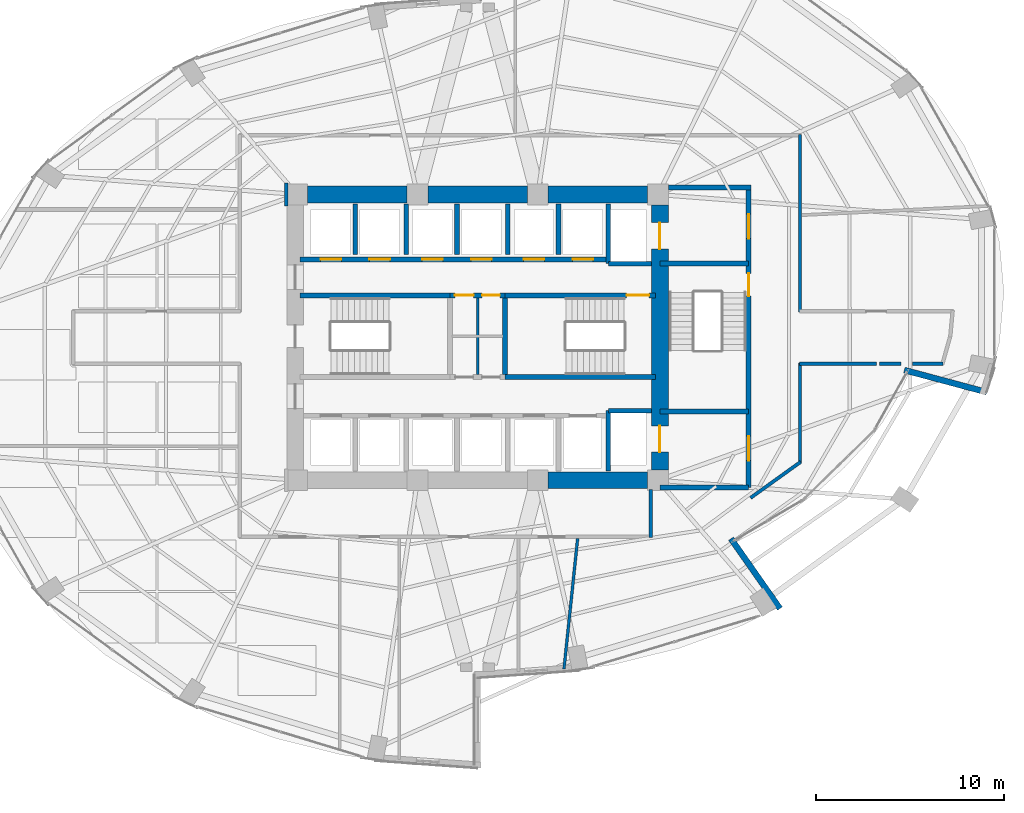
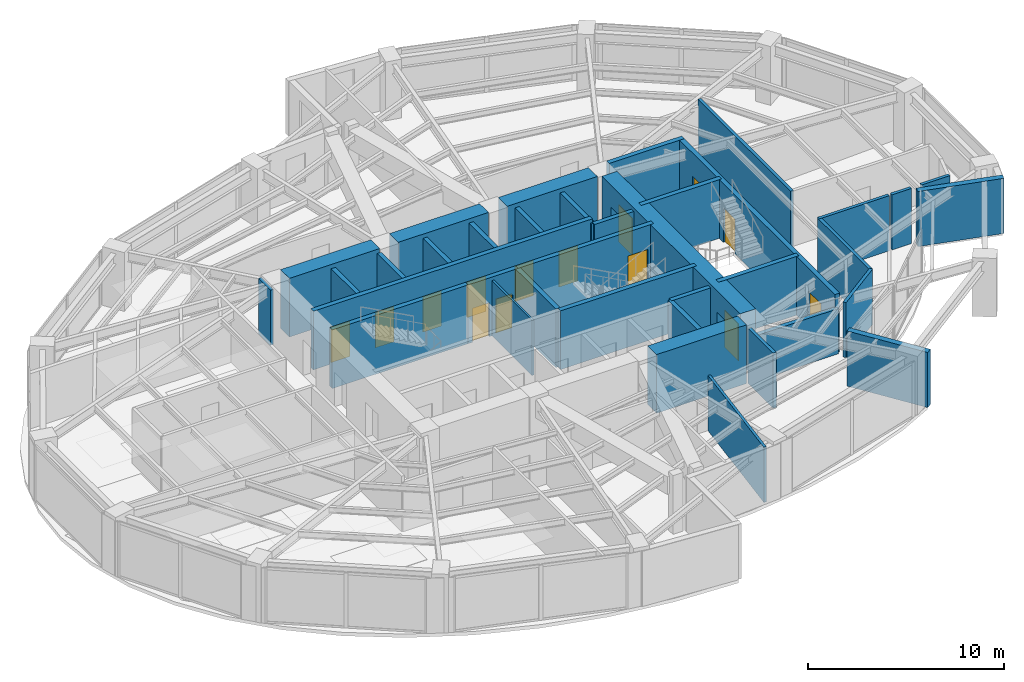
# One storey, part 21 of 24: 37 walls, 14 doors, 14 openings.
"""IFC4 building model written with IfcOpenShell, lengths in metres."""

import ifcopenshell
import ifcopenshell.guid

model = None  # the IFC model being written
_history = None  # IfcOwnerHistory: only IFC2X3 demands one
_inside = {}  # id of a spatial element -> (the spatial element, [elements in it])
_under = {}  # id of a project, library or spatial element -> (it, [spatial elements below it])
_declared = {}  # id of a project -> (the project, [libraries it declares])
_typed = {}  # id of a type object -> (the type object, [elements of that type])
_made_of = {}  # id of a material, layer set ... -> (it, [elements and type objects made of it])


def new_model(schema):
    """Start an empty IFC model of exactly this schema.

    Asked for "IFC4X3", IfcOpenShell would pick the latest addendum, in which some entities
    have other attributes; the version numbers below select the first issue.
    IFC2X3 requires an IfcOwnerHistory on every rooted entity: one is made here for all.
    """
    global model, _history
    if schema == "IFC4X3":
        model = ifcopenshell.file(schema_version=(4, 3, 0, 0))
    else:
        model = ifcopenshell.file(schema=schema)
    _inside.clear()
    _under.clear()
    _declared.clear()
    _typed.clear()
    _made_of.clear()
    _history = None
    if model.schema == "IFC2X3":
        org = make("IfcOrganization", Name="unknown")
        user = make(
            "IfcPersonAndOrganization",
            ThePerson=make("IfcPerson", FamilyName="unknown"),
            TheOrganization=org,
        )
        app = make(
            "IfcApplication",
            ApplicationDeveloper=org,
            Version="unknown",
            ApplicationFullName="unknown",
            ApplicationIdentifier="unknown",
        )
        _history = make(
            "IfcOwnerHistory",
            OwningUser=user,
            OwningApplication=app,
            ChangeAction="ADDED",
            CreationDate=0,
        )
    return model


def make(cls, **values):
    """One entity of the class cls with the attributes given. An attribute that is None is left unset."""
    return model.create_entity(
        cls, **{name: value for name, value in values.items() if value is not None}
    )


def rooted(cls, **values):
    """An entity with a GlobalId (a new one), such as an element, a storey or a relation."""
    return make(cls, GlobalId=ifcopenshell.guid.new(), OwnerHistory=_history, **values)


def si_unit(unit_type, name, prefix=None):
    """IfcSIUnit, for example si_unit("LENGTHUNIT", "METRE", prefix="MILLI")."""
    return make("IfcSIUnit", UnitType=unit_type, Prefix=prefix, Name=name)


def assignment(units):
    """IfcUnitAssignment: the units of a project."""
    return None if units is None else make("IfcUnitAssignment", Units=units)


def point(xyz):
    """IfcCartesianPoint."""
    return None if xyz is None else make("IfcCartesianPoint", Coordinates=xyz)


def direction(xyz):
    """IfcDirection."""
    return None if xyz is None else make("IfcDirection", DirectionRatios=xyz)


def frame(location, z_axis=None, x_axis=None):
    """IfcAxis2Placement3D, a coordinate frame: its origin and axes. An axis left out is left unset."""
    return make(
        "IfcAxis2Placement3D",
        Location=point(location),
        Axis=direction(z_axis),
        RefDirection=direction(x_axis),
    )


def frame_2d(location, x_axis=None):
    """IfcAxis2Placement2D, a coordinate frame in the plane: its origin and x axis."""
    return make(
        "IfcAxis2Placement2D", Location=point(location), RefDirection=direction(x_axis)
    )


def origin():
    """The frame at (0, 0, 0) with its axes left unset."""
    return frame((0.0, 0.0, 0.0))


def place(relative_to, where):
    """IfcLocalPlacement: puts the frame where relative to a parent placement (None: the world)."""
    return make(
        "IfcLocalPlacement", PlacementRelTo=relative_to, RelativePlacement=where
    )


def context(
    kind, dimensions, precision=None, world=None, true_north=None, identifier=None
):
    """IfcGeometricRepresentationContext, for example the 3D "Model" context."""
    return make(
        "IfcGeometricRepresentationContext",
        ContextIdentifier=identifier,
        ContextType=kind,
        CoordinateSpaceDimension=dimensions,
        Precision=precision,
        WorldCoordinateSystem=world,
        TrueNorth=true_north,
    )


def subcontext(parent, identifier, kind, view, scale=None):
    """IfcGeometricRepresentationSubContext, for example "Body" below "Model"."""
    return make(
        "IfcGeometricRepresentationSubContext",
        ContextIdentifier=identifier,
        ContextType=kind,
        ParentContext=parent,
        TargetScale=scale,
        TargetView=view,
    )


def project(units=None, contexts=None):
    """IfcProject with its units and contexts."""
    return rooted(
        "IfcProject",
        Name="project",
        RepresentationContexts=contexts,
        UnitsInContext=assignment(units),
    )


def spatial(cls, under=None, at=None, **own):
    """A site, building, storey or space (cls), placed at a placement, below another one or the project."""
    s = rooted(cls, ObjectPlacement=at, **own)
    if under is not None:
        _under.setdefault(under.id(), (under, []))[1].append(s)
    return s


def profile(cls, at=None, kind="AREA", **sizes):
    """A parametric profile (cls). Its sizes go by their IFC names, for example OverallWidth=200.0."""
    return make(cls, ProfileType=kind, Position=at, **sizes)


def rectangle(**sizes):
    """IfcRectangleProfileDef."""
    return profile("IfcRectangleProfileDef", **sizes)


def extrude(swept, where, along, depth):
    """IfcExtrudedAreaSolid: the profile swept, set in the frame where, extruded along a direction by depth."""
    return make(
        "IfcExtrudedAreaSolid",
        SweptArea=swept,
        Position=where,
        ExtrudedDirection=direction(along),
        Depth=depth,
    )


def shape(context_of_items, identifier, shape_type, items):
    """IfcShapeRepresentation: the items that make up one representation, for example the "Body"."""
    return make(
        "IfcShapeRepresentation",
        ContextOfItems=context_of_items,
        RepresentationIdentifier=identifier,
        RepresentationType=shape_type,
        Items=items,
    )


def material(Name=None, Category=None):
    """IfcMaterial."""
    return make("IfcMaterial", Name=Name, Category=Category)


def layer(
    of_material, thickness, ventilated=None, Name=None, Category=None, Priority=None
):
    """IfcMaterialLayer: one layer of a wall or slab, of a material (None: an air gap)."""
    return make(
        "IfcMaterialLayer",
        Material=of_material,
        LayerThickness=thickness,
        IsVentilated=ventilated,
        Name=Name,
        Category=Category,
        Priority=Priority,
    )


def layer_set(layers, Name=None):
    """IfcMaterialLayerSet."""
    return make("IfcMaterialLayerSet", MaterialLayers=layers, LayerSetName=Name)


def made_of(thing, what):
    """Note that an element or type object is made of a material, layer set ...; save() writes the relation."""
    if what is not None:
        _made_of.setdefault(what.id(), (what, []))[1].append(thing)
    return thing


def type_object(cls, material=None, **own):
    """A type object (cls), such as IfcWallType, which elements share."""
    return made_of(rooted(cls, **own), material)


def element(
    cls,
    number,
    at=None,
    inside=None,
    cuts=None,
    type_object=None,
    material=None,
    context=None,
    identifier="Body",
    shape_type=None,
    held_by="IfcProductDefinitionShape",
    body=None,
    shapes=None,
    **own,
):
    """One element of the class cls, such as IfcWall. Its Tag is "e" and its number.

    at: its placement. inside: the storey or other place that contains it. cuts: it is an
    opening in that element (IfcRelVoidsElement). A single representation is given by context,
    identifier, shape_type and body (its items); several are given by shapes. held_by: the class
    of the entity that holds the representations. save() writes the other relations.
    """
    e = rooted(cls, Tag="e%d" % number, ObjectPlacement=at, **own)
    if body is not None:
        shapes = [shape(context, identifier, shape_type, body)]
    if shapes is not None:
        e.Representation = make(held_by, Representations=shapes)
    if inside is not None:
        _inside.setdefault(inside.id(), (inside, []))[1].append(e)
    if cuts is not None:
        rooted(
            "IfcRelVoidsElement", RelatingBuildingElement=cuts, RelatedOpeningElement=e
        )
    if type_object is not None:
        _typed.setdefault(type_object.id(), (type_object, []))[1].append(e)
    return made_of(e, material)


def fill(opening, filler):
    """IfcRelFillsElement: the door or window that sits in an opening."""
    return rooted(
        "IfcRelFillsElement",
        RelatingOpeningElement=opening,
        RelatedBuildingElement=filler,
    )


def aggregate(whole, parts):
    """IfcRelAggregates: a whole, such as a stair, and the parts it consists of."""
    return rooted("IfcRelAggregates", RelatingObject=whole, RelatedObjects=parts)


def save(model, path):
    """Write the relations noted so far, then the file.

    IfcRelAggregates (storeys below a building ...), IfcRelContainedInSpatialStructure (elements
    in a storey), IfcRelDefinesByType, IfcRelAssociatesMaterial and IfcRelDeclares: one each for
    every whole, place, type object, material and project.
    """
    for whole, parts in _under.values():
        aggregate(whole, parts)
    for where, things in _inside.values():
        rooted(
            "IfcRelContainedInSpatialStructure",
            RelatedElements=things,
            RelatingStructure=where,
        )
    for kind, things in _typed.values():
        rooted("IfcRelDefinesByType", RelatedObjects=things, RelatingType=kind)
    for what, things in _made_of.values():
        rooted("IfcRelAssociatesMaterial", RelatedObjects=things, RelatingMaterial=what)
    for by, libraries in _declared.values():
        rooted("IfcRelDeclares", RelatingContext=by, RelatedDefinitions=libraries)
    model.write(path)


model = new_model("IFC4")

# Units and contexts
model_context = context("Model", 3, precision=1e-05, world=origin(), true_north=direction((0.0, 1.0)))
body_context = subcontext(model_context, "Body", "Model", "MODEL_VIEW")
ifc_project = project(units=[si_unit("LENGTHUNIT", "METRE"), si_unit("AREAUNIT", "SQUARE_METRE"), si_unit("VOLUMEUNIT", "CUBIC_METRE"), si_unit("PLANEANGLEUNIT", "RADIAN"), si_unit("MASSUNIT", "GRAM", prefix="KILO")], contexts=[model_context])

# Site, building, storey
site_placement = place(None, origin())
site = spatial("IfcSite", under=ifc_project, at=site_placement, CompositionType="ELEMENT")
building_placement = place(site_placement, origin())
building = spatial("IfcBuilding", under=site, at=building_placement, Name="Lazwardi Medical Tower", CompositionType="ELEMENT")
storey_placement = place(building_placement, frame((0.0, 0.0, 65.327880859375)))
storey = spatial("IfcBuildingStorey", under=building, at=storey_placement, Name="L16", CompositionType="ELEMENT", Elevation=65.327880859375)

# Walls
ifc_material_1 = material(Name="Fire-rated gypsum board on steel stud", Category="steel")
ifc_layer_1 = layer(ifc_material_1, 0.179931640625)
ifc_layer_set_1 = layer_set([ifc_layer_1], Name="Fire-rated gypsum board on steel stud")
wall_type_1 = type_object("IfcWallType", Name="WL-COR-180", PredefinedType="PARTITIONING", material=ifc_layer_set_1)
wall_1_placement = place(storey_placement, frame((53.14990234375, 38.7900390625, 0.0), z_axis=(0.0, 0.0, 1.0), x_axis=(0.0, -1.0, 0.0)))
element("IfcWall", 1, at=wall_1_placement, inside=storey, type_object=wall_type_1, Name="L16 Corridor partition 5", PredefinedType="PARTITIONING", context=body_context, shape_type="SweptSolid", body=[
    extrude(rectangle(XDim=9.429931640625, YDim=0.179931640625, at=frame_2d((4.71484375, 0.0))), origin(), (0.0, 0.0, 1.0), 3.42822265625),
])
wall_2_placement = place(storey_placement, frame((60.768310546875, 26.60009765625, 0.0), z_axis=(0.0, 0.0, 1.0), x_axis=(-1.0, 0.0, 0.0)))
element("IfcWall", 2, at=wall_2_placement, inside=storey, type_object=wall_type_1, Name="L16 Corridor partition 9", PredefinedType="PARTITIONING", context=body_context, shape_type="SweptSolid", body=[
    extrude(rectangle(XDim=1.643310546875, YDim=0.179931640625, at=frame_2d((0.82177734375, 0.0))), origin(), (0.0, 0.0, 1.0), 3.42822265625),
])
wall_3_placement = place(storey_placement, frame((58.523193359375, 26.60009765625, 0.0), z_axis=(0.0, 0.0, 1.0), x_axis=(-1.0, 0.0, 0.0)))
element("IfcWall", 3, at=wall_3_placement, inside=storey, type_object=wall_type_1, Name="L16 Corridor partition 10", PredefinedType="PARTITIONING", context=body_context, shape_type="SweptSolid", body=[
    extrude(rectangle(XDim=1.13671875, YDim=0.179931640625, at=frame_2d((0.568359375, 0.0))), origin(), (0.0, 0.0, 1.0), 3.42822265625),
])
wall_4_placement = place(storey_placement, frame((57.21337890625, 26.60009765625, 0.0), z_axis=(0.0, 0.0, 1.0), x_axis=(-1.0, 0.0, 0.0)))
element("IfcWall", 4, at=wall_4_placement, inside=storey, type_object=wall_type_1, Name="L16 Corridor partition 11", PredefinedType="PARTITIONING", context=body_context, shape_type="SweptSolid", body=[
    extrude(rectangle(XDim=4.103271484375, YDim=0.179931640625, at=frame_2d((2.0517578125, 0.0))), origin(), (0.0, 0.0, 1.0), 3.42822265625),
])
wall_5_placement = place(storey_placement, frame((53.14990234375, 26.639892578125, 0.0), z_axis=(0.0, 0.0, 1.0), x_axis=(0.0, -1.0, 0.0)))
element("IfcWall", 5, at=wall_5_placement, inside=storey, type_object=wall_type_1, Name="L16 Corridor partition 12", PredefinedType="PARTITIONING", context=body_context, shape_type="SweptSolid", body=[
    extrude(rectangle(XDim=5.327392578125, YDim=0.179931640625, at=frame_2d((2.66357421875, 0.0))), origin(), (0.0, 0.0, 1.0), 3.42822265625),
])
wall_6_placement = place(storey_placement, frame((53.1826171875, 21.3759765625, 0.0), z_axis=(0.0, 0.0, 1.0), x_axis=(-0.812151980909, -0.583445935717, 0.0)))
element("IfcWall", 6, at=wall_6_placement, inside=storey, type_object=wall_type_1, Name="L16 Corridor partition 13", PredefinedType="PARTITIONING", context=body_context, shape_type="SweptSolid", body=[
    extrude(rectangle(XDim=3.281494140625, YDim=0.179931640625, at=frame_2d((1.640625, 0.0))), origin(), (0.0, 0.0, 1.0), 3.42822265625),
])
wall_7_placement = place(storey_placement, frame((25.830078125, 36.2099609375, 0.0), z_axis=(0.0, 0.0, 1.0), x_axis=(0.0, -1.0, 0.0)))
element("IfcWall", 7, at=wall_7_placement, inside=storey, type_object=wall_type_1, Name="L16 Corridor partition 14", PredefinedType="PARTITIONING", context=body_context, shape_type="SweptSolid", body=[
    extrude(rectangle(XDim=1.219970703125, YDim=0.179931640625, at=frame_2d((0.60986328125, 0.0))), origin(), (0.0, 0.0, 1.0), 3.42822265625),
])
wall_8_placement = place(storey_placement, frame((45.199951171875, 19.909912109375, 0.0), z_axis=(0.0, 0.0, 1.0), x_axis=(0.0, -1.0, 0.0)))
element("IfcWall", 8, at=wall_8_placement, inside=storey, type_object=wall_type_1, Name="L16 Corridor partition 16", PredefinedType="PARTITIONING", context=body_context, shape_type="SweptSolid", body=[
    extrude(rectangle(XDim=2.5498046875, YDim=0.179931640625, at=frame_2d((1.27490234375, 0.0))), origin(), (0.0, 0.0, 1.0), 3.42822265625),
])

# Wall, openings, doors
ifc_material_2 = material(Name="Concrete C80/95", Category="concrete")
ifc_layer_2 = layer(ifc_material_2, 0.89990234375)
ifc_layer_set_2 = layer_set([ifc_layer_2], Name="Concrete C80/95")
wall_type_2 = type_object("IfcWallType", Name="WL-CORE-900", PredefinedType="SHEAR", material=ifc_layer_set_2)
wall_9_placement = place(storey_placement, frame((45.699951171875, 20.949951171875, 0.0), z_axis=(0.0, 0.0, 1.0), x_axis=(0.0, 1.0, 0.0)))
wall_9 = element("IfcWall", 9, at=wall_9_placement, inside=storey, type_object=wall_type_2, Name="Core wall CW-S1 east L16", PredefinedType="SHEAR", context=body_context, shape_type="SweptSolid", body=[
    extrude(rectangle(XDim=14.10009765625, YDim=0.89990234375, at=frame_2d((7.050048828125, 0.0))), origin(), (0.0, 0.0, 1.0), 3.648193359375),
])
opening_1_placement = place(wall_9_placement, frame((11.75, 0.0, 0.0)))
opening_1 = element("IfcOpeningElement", 10, at=opening_1_placement, cuts=wall_9, Name="Opening LD-L16-001", PredefinedType="OPENING", context=body_context, shape_type="SweptSolid", body=[
    extrude(rectangle(XDim=1.39990234375, YDim=2.300048828125, at=frame_2d((0.699951171875, 1.14990234375))), frame((0.0, 0.4599609375, 0.0), z_axis=(0.0, -1.0, 0.0), x_axis=(1.0, 0.0, 0.0)), (0.0, 0.0, 1.0), 0.919921875),
])
opening_2_placement = place(wall_9_placement, frame((0.949951171875, 0.0, 0.0)))
opening_2 = element("IfcOpeningElement", 11, at=opening_2_placement, cuts=wall_9, Name="Opening LD-L16-002", PredefinedType="OPENING", context=body_context, shape_type="SweptSolid", body=[
    extrude(rectangle(XDim=1.39990234375, YDim=2.300048828125, at=frame_2d((0.699951171875, 1.14990234375))), frame((0.0, 0.4599609375, 0.0), z_axis=(0.0, -1.0, 0.0), x_axis=(1.0, 0.0, 0.0)), (0.0, 0.0, 1.0), 0.919921875),
])
ifc_material_3 = material(Name="Brushed stainless steel bed-lift landing door", Category="steel")
door_type_1 = type_object("IfcDoorType", Name="DR-LFT-1400", OperationType="NOTDEFINED", PredefinedType="DOOR", material=ifc_material_3)
door_1_placement = place(opening_1_placement, origin())
door_1 = element("IfcDoor", 12, at=door_1_placement, inside=storey, type_object=door_type_1, Name="L16 Lift Landing Door FL-01", OperationType="SLIDING_TO_LEFT", OverallHeight=2.300048828125, OverallWidth=1.39990234375, PredefinedType="DOOR", context=body_context, shape_type="SweptSolid", body=[
    extrude(rectangle(XDim=1.39990234375, YDim=2.300048828125, at=frame_2d((0.699951171875, 1.14990234375))), frame((0.0, 0.02490234375, 0.0), z_axis=(0.0, -1.0, 0.0), x_axis=(1.0, 0.0, 0.0)), (0.0, 0.0, 1.0), 0.050048828125),
])
fill(opening_1, door_1)
door_2_placement = place(opening_2_placement, origin())
door_2 = element("IfcDoor", 13, at=door_2_placement, inside=storey, type_object=door_type_1, Name="L16 Lift Landing Door FL-02", OperationType="SLIDING_TO_LEFT", OverallHeight=2.300048828125, OverallWidth=1.39990234375, PredefinedType="DOOR", context=body_context, shape_type="SweptSolid", body=[
    extrude(rectangle(XDim=1.39990234375, YDim=2.300048828125, at=frame_2d((0.699951171875, 1.14990234375))), frame((0.0, 0.02490234375, 0.0), z_axis=(0.0, -1.0, 0.0), x_axis=(1.0, 0.0, 0.0)), (0.0, 0.0, 1.0), 0.050048828125),
])
fill(opening_2, door_2)

# Walls
wall_10_placement = place(storey_placement, frame((26.949951171875, 35.60009765625, 0.0), z_axis=(0.0, 0.0, 1.0), x_axis=(1.0, 0.0, 0.0)))
element("IfcWall", 14, at=wall_10_placement, inside=storey, type_object=wall_type_2, Name="Core wall CW-S1 N1 L16", PredefinedType="SHEAR", context=body_context, shape_type="SweptSolid", body=[
    extrude(rectangle(XDim=5.300048828125, YDim=0.89990234375, at=frame_2d((2.64990234375, 0.0))), origin(), (0.0, 0.0, 1.0), 3.648193359375),
])
wall_11_placement = place(storey_placement, frame((33.35009765625, 35.60009765625, 0.0), z_axis=(0.0, 0.0, 1.0), x_axis=(1.0, 0.0, 0.0)))
element("IfcWall", 15, at=wall_11_placement, inside=storey, type_object=wall_type_2, Name="Core wall CW-S1 N2 L16", PredefinedType="SHEAR", context=body_context, shape_type="SweptSolid", body=[
    extrude(rectangle(XDim=5.2998046875, YDim=0.89990234375, at=frame_2d((2.64990234375, 0.0))), origin(), (0.0, 0.0, 1.0), 3.648193359375),
])
for number, where, z_axis, x_axis, name in (
    (16, (39.75, 20.39990234375, 0.0), (0.0, 0.0, 1.0), (1.0, 0.0, 0.0), "Core wall CW-S1 S3 L16"),
    (17, (39.75, 35.60009765625, 0.0), (0.0, 0.0, 1.0), (1.0, 0.0, 0.0), "Core wall CW-S1 N3 L16"),
):
    element("IfcWall", number, at=place(storey_placement, frame(where, z_axis=z_axis, x_axis=x_axis)), inside=storey, type_object=wall_type_2, Name=name, PredefinedType="SHEAR", context=body_context, shape_type="SweptSolid", body=[
        extrude(rectangle(XDim=5.300048828125, YDim=0.89990234375, at=frame_2d((2.64990234375, 0.0))), origin(), (0.0, 0.0, 1.0), 3.648193359375),
    ])
ifc_material_4 = material(Name="Moisture-resistant gypsum board partition")
ifc_layer_3 = layer(ifc_material_4, 0.125)
ifc_layer_set_3 = layer_set([ifc_layer_3], Name="Moisture-resistant gypsum board partition")
wall_type_3 = type_object("IfcWallType", Name="WL-ENS-125", PredefinedType="PARTITIONING", material=ifc_layer_set_3)
wall_12_placement = place(storey_placement, frame((36.0, 26.02001953125, 0.0), z_axis=(0.0, 0.0, 1.0), x_axis=(0.0, 1.0, 0.0)))
element("IfcWall", 18, at=wall_12_placement, inside=storey, type_object=wall_type_3, Name="L16 Core 4-way V divider", PredefinedType="PARTITIONING", context=body_context, shape_type="SweptSolid", body=[
    extrude(rectangle(XDim=4.080078125, YDim=0.125, at=frame_2d((2.0400390625, 0.0))), origin(), (0.0, 0.0, 1.0), 3.42822265625),
])
ifc_material_5 = material(Name="Precast concrete C45/55", Category="concrete")
ifc_layer_4 = layer(ifc_material_5, 0.320068359375)
ifc_layer_set_4 = layer_set([ifc_layer_4], Name="Precast concrete C45/55")
wall_type_4 = type_object("IfcWallType", Name="WL-IWAN-320", PredefinedType="SOLIDWALL", material=ifc_layer_set_4)
wall_13_placement = place(storey_placement, frame((52.0830078125, 13.57470703125, 0.0), z_axis=(0.0, 0.0, 1.0), x_axis=(-0.573592269695, 0.819140957434, 0.0)))
element("IfcWall", 19, at=wall_13_placement, inside=storey, type_object=wall_type_4, Name="L16 Sky Garden SG1 Flank Wall S0", PredefinedType="SOLIDWALL", context=body_context, shape_type="SweptSolid", body=[
    extrude(rectangle(XDim=4.539794921875, YDim=0.320068359375, at=frame_2d((2.27001953125, 0.0))), origin(), (0.0, 0.0, 1.0), 3.42822265625),
])
wall_14_placement = place(storey_placement, frame((63.084716796875, 25.083984375, 0.0), z_axis=(0.0, 0.0, 1.0), x_axis=(-0.965941571447, 0.258760276223, 0.0)))
element("IfcWall", 20, at=wall_14_placement, inside=storey, type_object=wall_type_4, Name="L16 Sky Garden SG1 Flank Wall S1", PredefinedType="SOLIDWALL", context=body_context, shape_type="SweptSolid", body=[
    extrude(rectangle(XDim=4.5400390625, YDim=0.320068359375, at=frame_2d((2.27001953125, 0.0))), origin(), (0.0, 0.0, 1.0), 3.42822265625),
])
ifc_material_6 = material(Name="Autoclaved aerated concrete blockwork", Category="masonry")
ifc_layer_5 = layer(ifc_material_6, 0.25)
ifc_layer_set_5 = layer_set([ifc_layer_5], Name="Autoclaved aerated concrete blockwork")
wall_type_5 = type_object("IfcWallType", Name="WL-SHAFT-250", PredefinedType="SOLIDWALL", material=ifc_layer_set_5)
wall_15_placement = place(storey_placement, frame((42.949951171875, 31.919921875, 0.0), z_axis=(0.0, 0.0, 1.0), x_axis=(0.0, 1.0, 0.0)))
element("IfcWall", 21, at=wall_15_placement, inside=storey, type_object=wall_type_5, Name="L16 FL-01 West shaft wall", PredefinedType="SOLIDWALL", context=body_context, shape_type="SweptSolid", body=[
    extrude(rectangle(XDim=3.18017578125, YDim=0.25, at=frame_2d((1.590087890625, 0.0))), origin(), (0.0, 0.0, 1.0), 3.42822265625),
])
wall_16_placement = place(storey_placement, frame((42.949951171875, 31.919921875, 0.0), z_axis=(0.0, 0.0, 1.0), x_axis=(1.0, 0.0, 0.0)))
element("IfcWall", 22, at=wall_16_placement, inside=storey, type_object=wall_type_5, Name="L16 FL-01 South shaft wall", PredefinedType="SOLIDWALL", context=body_context, shape_type="SweptSolid", body=[
    extrude(rectangle(XDim=2.300048828125, YDim=0.25, at=frame_2d((1.14990234375, 0.0))), origin(), (0.0, 0.0, 1.0), 3.42822265625),
])
wall_17_placement = place(storey_placement, frame((42.949951171875, 20.89990234375, 0.0), z_axis=(0.0, 0.0, 1.0), x_axis=(0.0, 1.0, 0.0)))
element("IfcWall", 23, at=wall_17_placement, inside=storey, type_object=wall_type_5, Name="L16 FL-02 West shaft wall", PredefinedType="SOLIDWALL", context=body_context, shape_type="SweptSolid", body=[
    extrude(rectangle(XDim=3.2001953125, YDim=0.25, at=frame_2d((1.60009765625, 0.0))), origin(), (0.0, 0.0, 1.0), 3.42822265625),
])
wall_18_placement = place(storey_placement, frame((42.949951171875, 24.10009765625, 0.0), z_axis=(0.0, 0.0, 1.0), x_axis=(1.0, 0.0, 0.0)))
element("IfcWall", 24, at=wall_18_placement, inside=storey, type_object=wall_type_5, Name="L16 FL-02 North shaft wall", PredefinedType="SOLIDWALL", context=body_context, shape_type="SweptSolid", body=[
    extrude(rectangle(XDim=2.300048828125, YDim=0.25, at=frame_2d((1.14990234375, 0.0))), origin(), (0.0, 0.0, 1.0), 3.42822265625),
])
for number, where, z_axis, x_axis, name in (
    (25, (29.5, 32.419921875, 0.0), (0.0, 0.0, 1.0), (0.0, 1.0, 0.0), "L16 North hoistway divider"),
    (26, (32.199951171875, 32.419921875, 0.0), (0.0, 0.0, 1.0), (0.0, 1.0, 0.0), "L16 North hoistway divider"),
    (27, (34.89990234375, 32.419921875, 0.0), (0.0, 0.0, 1.0), (0.0, 1.0, 0.0), "L16 North hoistway divider"),
    (28, (37.60009765625, 32.419921875, 0.0), (0.0, 0.0, 1.0), (0.0, 1.0, 0.0), "L16 North hoistway divider"),
    (29, (40.300048828125, 32.419921875, 0.0), (0.0, 0.0, 1.0), (0.0, 1.0, 0.0), "L16 North hoistway divider"),
):
    element("IfcWall", number, at=place(storey_placement, frame(where, z_axis=z_axis, x_axis=x_axis)), inside=storey, type_object=wall_type_5, Name=name, PredefinedType="SOLIDWALL", context=body_context, shape_type="SweptSolid", body=[
        extrude(rectangle(XDim=2.68017578125, YDim=0.25, at=frame_2d((1.340087890625, 0.0))), origin(), (0.0, 0.0, 1.0), 3.42822265625),
    ])
wall_19_placement = place(storey_placement, frame((45.699951171875, 20.02001953125, 0.0), z_axis=(0.0, 0.0, 1.0), x_axis=(1.0, 0.0, 0.0)))
element("IfcWall", 30, at=wall_19_placement, inside=storey, type_object=wall_type_5, Name="L16 FFL-S South wall", PredefinedType="SOLIDWALL", context=body_context, shape_type="SweptSolid", body=[
    extrude(rectangle(XDim=4.715087890625, YDim=0.25, at=frame_2d((2.357421875, 0.0))), origin(), (0.0, 0.0, 1.0), 2.813232421875),
])
ifc_material_7 = material(Name="Concrete C50/60", Category="concrete")
ifc_layer_6 = layer(ifc_material_7, 0.27001953125)
ifc_layer_set_6 = layer_set([ifc_layer_6], Name="Concrete C50/60")
wall_type_6 = type_object("IfcWallType", Name="WL-STR-250", PredefinedType="SHEAR", material=ifc_layer_set_6)
wall_20_placement = place(storey_placement, frame((26.550048828125, 30.235107421875, 0.0), z_axis=(0.0, 0.0, 1.0), x_axis=(1.0, 0.0, 0.0)))
element("IfcWall", 31, at=wall_20_placement, inside=storey, type_object=wall_type_6, Name="L16 ST1 North shear shaft wall SW-S1", PredefinedType="SHEAR", context=body_context, shape_type="SweptSolid", body=[
    extrude(rectangle(XDim=7.98486328125, YDim=0.27001953125, at=frame_2d((3.992431640625, 0.0))), origin(), (0.0, 0.0, 1.0), 3.648193359375),
])

# Wall, openings, doors
wall_21_placement = place(storey_placement, frame((34.534912109375, 30.235107421875, 0.0), z_axis=(0.0, 0.0, 1.0), x_axis=(1.0, 0.0, 0.0)))
wall_21 = element("IfcWall", 32, at=wall_21_placement, inside=storey, type_object=wall_type_6, Name="L16 Core service North shear wall SW-S1", PredefinedType="SHEAR", context=body_context, shape_type="SweptSolid", body=[
    extrude(rectangle(XDim=2.93017578125, YDim=0.27001953125, at=frame_2d((1.465087890625, 0.0))), origin(), (0.0, 0.0, 1.0), 3.648193359375),
])
opening_3_placement = place(wall_21_placement, frame((0.2548828125, 0.0, 0.0)))
opening_3 = element("IfcOpeningElement", 33, at=opening_3_placement, cuts=wall_21, Name="Opening D-L16-003", PredefinedType="OPENING", context=body_context, shape_type="SweptSolid", body=[
    extrude(rectangle(XDim=1.0, YDim=2.10009765625, at=frame_2d((0.5, 1.050048828125))), frame((0.0, 0.14501953125, 0.0), z_axis=(0.0, -1.0, 0.0), x_axis=(1.0, 0.0, 0.0)), (0.0, 0.0, 1.0), 0.2900390625),
])
opening_4_placement = place(wall_21_placement, frame((1.699951171875, 0.0, 0.0)))
opening_4 = element("IfcOpeningElement", 34, at=opening_4_placement, cuts=wall_21, Name="Opening D-L16-004", PredefinedType="OPENING", context=body_context, shape_type="SweptSolid", body=[
    extrude(rectangle(XDim=0.949951171875, YDim=2.10009765625, at=frame_2d((0.47509765625, 1.050048828125))), frame((0.0, 0.14501953125, 0.0), z_axis=(0.0, -1.0, 0.0), x_axis=(1.0, 0.0, 0.0)), (0.0, 0.0, 1.0), 0.2900390625),
])
ifc_material_8 = material(Name="Moisture-resistant laminate door leaf")
door_type_2 = type_object("IfcDoorType", Name="DR-AWC-1000", OperationType="NOTDEFINED", PredefinedType="DOOR", material=ifc_material_8)
door_3_placement = place(opening_3_placement, origin())
door_3 = element("IfcDoor", 35, at=door_3_placement, inside=storey, type_object=door_type_2, Name="L16 Accessible WC Door", OperationType="SINGLE_SWING_RIGHT", OverallHeight=2.10009765625, OverallWidth=1.0, PredefinedType="DOOR", context=body_context, shape_type="SweptSolid", body=[
    extrude(rectangle(XDim=1.0, YDim=2.10009765625, at=frame_2d((0.5, 1.050048828125))), frame((0.0, 0.02490234375, 0.0), z_axis=(0.0, -1.0, 0.0), x_axis=(1.0, 0.0, 0.0)), (0.0, 0.0, 1.0), 0.050048828125),
])
fill(opening_3, door_3)
door_type_3 = type_object("IfcDoorType", Name="DR-ENS-950", OperationType="NOTDEFINED", PredefinedType="DOOR", material=ifc_material_8)
door_4_placement = place(opening_4_placement, origin())
door_4 = element("IfcDoor", 36, at=door_4_placement, inside=storey, type_object=door_type_3, Name="L16 Clean Utility Door", OperationType="SINGLE_SWING_LEFT", OverallHeight=2.10009765625, OverallWidth=0.949951171875, PredefinedType="DOOR", context=body_context, shape_type="SweptSolid", body=[
    extrude(rectangle(XDim=0.949951171875, YDim=2.10009765625, at=frame_2d((0.47509765625, 1.050048828125))), frame((0.0, 0.02490234375, 0.0), z_axis=(0.0, -1.0, 0.0), x_axis=(1.0, 0.0, 0.0)), (0.0, 0.0, 1.0), 0.050048828125),
])
fill(opening_4, door_4)

# Wall, opening, door
wall_22_placement = place(storey_placement, frame((37.465087890625, 30.235107421875, 0.0), z_axis=(0.0, 0.0, 1.0), x_axis=(1.0, 0.0, 0.0)))
wall_22 = element("IfcWall", 37, at=wall_22_placement, inside=storey, type_object=wall_type_6, Name="L16 ST2 North shear shaft wall SW-S1", PredefinedType="SHEAR", context=body_context, shape_type="SweptSolid", body=[
    extrude(rectangle(XDim=7.98486328125, YDim=0.27001953125, at=frame_2d((3.992431640625, 0.0))), origin(), (0.0, 0.0, 1.0), 3.648193359375),
])
opening_5_placement = place(wall_22_placement, frame((6.455078125, 0.0, 0.0)))
opening_5 = element("IfcOpeningElement", 38, at=opening_5_placement, cuts=wall_22, Name="Opening D-L16-018", PredefinedType="OPENING", context=body_context, shape_type="SweptSolid", body=[
    extrude(rectangle(XDim=1.199951171875, YDim=2.14990234375, at=frame_2d((0.60009765625, 1.074951171875))), frame((0.0, 0.14501953125, 0.0), z_axis=(0.0, -1.0, 0.0), x_axis=(1.0, 0.0, 0.0)), (0.0, 0.0, 1.0), 0.2900390625),
])
ifc_material_9 = material(Name="Fire-rated steel leaf and frame", Category="steel")
door_type_4 = type_object("IfcDoorType", Name="DR-STR-1200", OperationType="NOTDEFINED", PredefinedType="DOOR", material=ifc_material_9)
door_5_placement = place(opening_5_placement, origin())
door_5 = element("IfcDoor", 39, at=door_5_placement, inside=storey, type_object=door_type_4, Name="L16 Exit Stair ST2 Door", OperationType="SINGLE_SWING_LEFT", OverallHeight=2.14990234375, OverallWidth=1.199951171875, PredefinedType="DOOR", context=body_context, shape_type="SweptSolid", body=[
    extrude(rectangle(XDim=1.199951171875, YDim=2.14990234375, at=frame_2d((0.60009765625, 1.074951171875))), frame((0.0, 0.02490234375, 0.0), z_axis=(0.0, -1.0, 0.0), x_axis=(1.0, 0.0, 0.0)), (0.0, 0.0, 1.0), 0.050048828125),
])
fill(opening_5, door_5)

# Walls
wall_23_placement = place(storey_placement, frame((37.465087890625, 25.885009765625, 0.0), z_axis=(0.0, 0.0, 1.0), x_axis=(1.0, 0.0, 0.0)))
element("IfcWall", 40, at=wall_23_placement, inside=storey, type_object=wall_type_6, Name="L16 ST2 South shear shaft wall SW-S1", PredefinedType="SHEAR", context=body_context, shape_type="SweptSolid", body=[
    extrude(rectangle(XDim=7.98486328125, YDim=0.27001953125, at=frame_2d((3.992431640625, 0.0))), origin(), (0.0, 0.0, 1.0), 3.648193359375),
])
wall_24_placement = place(storey_placement, frame((37.465087890625, 26.02001953125, 0.0), z_axis=(0.0, 0.0, 1.0), x_axis=(0.0, 1.0, 0.0)))
element("IfcWall", 41, at=wall_24_placement, inside=storey, type_object=wall_type_6, Name="L16 ST2 West shear shaft wall SW-S1", PredefinedType="SHEAR", context=body_context, shape_type="SweptSolid", body=[
    extrude(rectangle(XDim=4.080078125, YDim=0.27001953125, at=frame_2d((2.0400390625, 0.0))), origin(), (0.0, 0.0, 1.0), 3.648193359375),
])

# Wall, openings, doors
wall_25_placement = place(storey_placement, frame((26.550048828125, 32.14990234375, 0.0), z_axis=(0.0, 0.0, 1.0), x_axis=(1.0, 0.0, 0.0)))
wall_25 = element("IfcWall", 42, at=wall_25_placement, inside=storey, type_object=wall_type_6, Name="L16 North lift bank shear wall SW-S1", PredefinedType="SHEAR", context=body_context, shape_type="SweptSolid", body=[
    extrude(rectangle(XDim=16.39990234375, YDim=0.27001953125, at=frame_2d((8.199951171875, 0.0))), origin(), (0.0, 0.0, 1.0), 3.648193359375),
])
opening_6_placement = place(wall_25_placement, frame((1.10009765625, 0.0, 0.0)))
opening_6 = element("IfcOpeningElement", 43, at=opening_6_placement, cuts=wall_25, Name="Opening LD-L16-004", PredefinedType="OPENING", context=body_context, shape_type="SweptSolid", body=[
    extrude(rectangle(XDim=1.10009765625, YDim=2.199951171875, at=frame_2d((0.550048828125, 1.10009765625))), frame((0.0, 0.14501953125, 0.0), z_axis=(0.0, -1.0, 0.0), x_axis=(1.0, 0.0, 0.0)), (0.0, 0.0, 1.0), 0.2900390625),
])
opening_7_placement = place(wall_25_placement, frame((3.699951171875, 0.0, 0.0)))
opening_7 = element("IfcOpeningElement", 44, at=opening_7_placement, cuts=wall_25, Name="Opening LD-L16-005", PredefinedType="OPENING", context=body_context, shape_type="SweptSolid", body=[
    extrude(rectangle(XDim=1.10009765625, YDim=2.199951171875, at=frame_2d((0.550048828125, 1.10009765625))), frame((0.0, 0.14501953125, 0.0), z_axis=(0.0, -1.0, 0.0), x_axis=(1.0, 0.0, 0.0)), (0.0, 0.0, 1.0), 0.2900390625),
])
opening_8_placement = place(wall_25_placement, frame((6.5, 0.0, 0.0)))
opening_8 = element("IfcOpeningElement", 45, at=opening_8_placement, cuts=wall_25, Name="Opening LD-L16-008", PredefinedType="OPENING", context=body_context, shape_type="SweptSolid", body=[
    extrude(rectangle(XDim=1.10009765625, YDim=2.199951171875, at=frame_2d((0.550048828125, 1.10009765625))), frame((0.0, 0.14501953125, 0.0), z_axis=(0.0, -1.0, 0.0), x_axis=(1.0, 0.0, 0.0)), (0.0, 0.0, 1.0), 0.2900390625),
])
opening_9_placement = place(wall_25_placement, frame((9.10009765625, 0.0, 0.0)))
opening_9 = element("IfcOpeningElement", 46, at=opening_9_placement, cuts=wall_25, Name="Opening LD-L16-009", PredefinedType="OPENING", context=body_context, shape_type="SweptSolid", body=[
    extrude(rectangle(XDim=1.10009765625, YDim=2.199951171875, at=frame_2d((0.550048828125, 1.10009765625))), frame((0.0, 0.14501953125, 0.0), z_axis=(0.0, -1.0, 0.0), x_axis=(1.0, 0.0, 0.0)), (0.0, 0.0, 1.0), 0.2900390625),
])
opening_10_placement = place(wall_25_placement, frame((11.89990234375, 0.0, 0.0)))
opening_10 = element("IfcOpeningElement", 47, at=opening_10_placement, cuts=wall_25, Name="Opening LD-L16-012", PredefinedType="OPENING", context=body_context, shape_type="SweptSolid", body=[
    extrude(rectangle(XDim=1.10009765625, YDim=2.199951171875, at=frame_2d((0.550048828125, 1.10009765625))), frame((0.0, 0.14501953125, 0.0), z_axis=(0.0, -1.0, 0.0), x_axis=(1.0, 0.0, 0.0)), (0.0, 0.0, 1.0), 0.2900390625),
])
opening_11_placement = place(wall_25_placement, frame((14.5, 0.0, 0.0)))
opening_11 = element("IfcOpeningElement", 48, at=opening_11_placement, cuts=wall_25, Name="Opening LD-L16-013", PredefinedType="OPENING", context=body_context, shape_type="SweptSolid", body=[
    extrude(rectangle(XDim=1.10009765625, YDim=2.199951171875, at=frame_2d((0.550048828125, 1.10009765625))), frame((0.0, 0.14501953125, 0.0), z_axis=(0.0, -1.0, 0.0), x_axis=(1.0, 0.0, 0.0)), (0.0, 0.0, 1.0), 0.2900390625),
])
ifc_material_10 = material(Name="Brushed bronze stainless steel landing door", Category="steel")
door_type_5 = type_object("IfcDoorType", Name="DR-LFT-1100", OperationType="NOTDEFINED", PredefinedType="DOOR", material=ifc_material_10)
door_6_placement = place(opening_6_placement, origin())
door_6 = element("IfcDoor", 49, at=door_6_placement, inside=storey, type_object=door_type_5, Name="L16 Lift Landing Door PL-01", OperationType="SLIDING_TO_LEFT", OverallHeight=2.199951171875, OverallWidth=1.10009765625, PredefinedType="DOOR", context=body_context, shape_type="SweptSolid", body=[
    extrude(rectangle(XDim=1.10009765625, YDim=2.199951171875, at=frame_2d((0.550048828125, 1.10009765625))), frame((0.0, 0.02490234375, 0.0), z_axis=(0.0, -1.0, 0.0), x_axis=(1.0, 0.0, 0.0)), (0.0, 0.0, 1.0), 0.050048828125),
])
fill(opening_6, door_6)
door_7_placement = place(opening_7_placement, origin())
door_7 = element("IfcDoor", 50, at=door_7_placement, inside=storey, type_object=door_type_5, Name="L16 Lift Landing Door PL-02", OperationType="SLIDING_TO_LEFT", OverallHeight=2.199951171875, OverallWidth=1.10009765625, PredefinedType="DOOR", context=body_context, shape_type="SweptSolid", body=[
    extrude(rectangle(XDim=1.10009765625, YDim=2.199951171875, at=frame_2d((0.550048828125, 1.10009765625))), frame((0.0, 0.02490234375, 0.0), z_axis=(0.0, -1.0, 0.0), x_axis=(1.0, 0.0, 0.0)), (0.0, 0.0, 1.0), 0.050048828125),
])
fill(opening_7, door_7)
door_8_placement = place(opening_8_placement, origin())
door_8 = element("IfcDoor", 51, at=door_8_placement, inside=storey, type_object=door_type_5, Name="L16 Lift Landing Door PL-05", OperationType="SLIDING_TO_LEFT", OverallHeight=2.199951171875, OverallWidth=1.10009765625, PredefinedType="DOOR", context=body_context, shape_type="SweptSolid", body=[
    extrude(rectangle(XDim=1.10009765625, YDim=2.199951171875, at=frame_2d((0.550048828125, 1.10009765625))), frame((0.0, 0.02490234375, 0.0), z_axis=(0.0, -1.0, 0.0), x_axis=(1.0, 0.0, 0.0)), (0.0, 0.0, 1.0), 0.050048828125),
])
fill(opening_8, door_8)
door_9_placement = place(opening_9_placement, origin())
door_9 = element("IfcDoor", 52, at=door_9_placement, inside=storey, type_object=door_type_5, Name="L16 Lift Landing Door PL-06", OperationType="SLIDING_TO_LEFT", OverallHeight=2.199951171875, OverallWidth=1.10009765625, PredefinedType="DOOR", context=body_context, shape_type="SweptSolid", body=[
    extrude(rectangle(XDim=1.10009765625, YDim=2.199951171875, at=frame_2d((0.550048828125, 1.10009765625))), frame((0.0, 0.02490234375, 0.0), z_axis=(0.0, -1.0, 0.0), x_axis=(1.0, 0.0, 0.0)), (0.0, 0.0, 1.0), 0.050048828125),
])
fill(opening_9, door_9)
door_10_placement = place(opening_10_placement, origin())
door_10 = element("IfcDoor", 53, at=door_10_placement, inside=storey, type_object=door_type_5, Name="L16 Lift Landing Door PL-09", OperationType="SLIDING_TO_LEFT", OverallHeight=2.199951171875, OverallWidth=1.10009765625, PredefinedType="DOOR", context=body_context, shape_type="SweptSolid", body=[
    extrude(rectangle(XDim=1.10009765625, YDim=2.199951171875, at=frame_2d((0.550048828125, 1.10009765625))), frame((0.0, 0.02490234375, 0.0), z_axis=(0.0, -1.0, 0.0), x_axis=(1.0, 0.0, 0.0)), (0.0, 0.0, 1.0), 0.050048828125),
])
fill(opening_10, door_10)
door_11_placement = place(opening_11_placement, origin())
door_11 = element("IfcDoor", 54, at=door_11_placement, inside=storey, type_object=door_type_5, Name="L16 Lift Landing Door PL-10", OperationType="SLIDING_TO_LEFT", OverallHeight=2.199951171875, OverallWidth=1.10009765625, PredefinedType="DOOR", context=body_context, shape_type="SweptSolid", body=[
    extrude(rectangle(XDim=1.10009765625, YDim=2.199951171875, at=frame_2d((0.550048828125, 1.10009765625))), frame((0.0, 0.02490234375, 0.0), z_axis=(0.0, -1.0, 0.0), x_axis=(1.0, 0.0, 0.0)), (0.0, 0.0, 1.0), 0.050048828125),
])
fill(opening_11, door_11)

wall_26_placement = place(storey_placement, frame((50.4150390625, 35.844970703125, 0.0), z_axis=(0.0, 0.0, 1.0), x_axis=(0.0, -1.0, 0.0)))
wall_26 = element("IfcWall", 55, at=wall_26_placement, inside=storey, type_object=wall_type_6, Name="L16 East ST3 & FFL shear wall SW-S1", PredefinedType="SHEAR", context=body_context, shape_type="SweptSolid", body=[
    extrude(rectangle(XDim=15.824951171875, YDim=0.27001953125, at=frame_2d((7.91259765625, 0.0))), origin(), (0.0, 0.0, 1.0), 3.648193359375),
])
opening_12_placement = place(wall_26_placement, frame((4.445068359375, 0.0, 0.0)))
opening_12 = element("IfcOpeningElement", 56, at=opening_12_placement, cuts=wall_26, Name="Opening D-L16-019", PredefinedType="OPENING", context=body_context, shape_type="SweptSolid", body=[
    extrude(rectangle(XDim=1.199951171875, YDim=2.14990234375, at=frame_2d((0.60009765625, 1.074951171875))), frame((0.0, 0.14501953125, 0.0), z_axis=(0.0, -1.0, 0.0), x_axis=(1.0, 0.0, 0.0)), (0.0, 0.0, 1.0), 0.2900390625),
])
opening_13_placement = place(wall_26_placement, frame((1.294921875, 0.0, 0.0)))
opening_13 = element("IfcOpeningElement", 57, at=opening_13_placement, cuts=wall_26, Name="Opening D-L16-005", PredefinedType="OPENING", context=body_context, shape_type="SweptSolid", body=[
    extrude(rectangle(XDim=1.300048828125, YDim=2.199951171875, at=frame_2d((0.64990234375, 1.10009765625))), frame((0.0, 0.14501953125, 0.0), z_axis=(0.0, -1.0, 0.0), x_axis=(1.0, 0.0, 0.0)), (0.0, 0.0, 1.0), 0.2900390625),
])
opening_14_placement = place(wall_26_placement, frame((13.094970703125, 0.0, 0.0)))
opening_14 = element("IfcOpeningElement", 58, at=opening_14_placement, cuts=wall_26, Name="Opening D-L16-006", PredefinedType="OPENING", context=body_context, shape_type="SweptSolid", body=[
    extrude(rectangle(XDim=1.300048828125, YDim=2.199951171875, at=frame_2d((0.64990234375, 1.10009765625))), frame((0.0, 0.14501953125, 0.0), z_axis=(0.0, -1.0, 0.0), x_axis=(1.0, 0.0, 0.0)), (0.0, 0.0, 1.0), 0.2900390625),
])
door_type_6 = type_object("IfcDoorType", Name="DR-FFL-1300", OperationType="NOTDEFINED", PredefinedType="DOOR", material=ifc_material_9)
door_12_placement = place(opening_13_placement, origin())
door_12 = element("IfcDoor", 59, at=door_12_placement, inside=storey, type_object=door_type_6, Name="L16 Fire-Fighting Lobby North Door", OperationType="SINGLE_SWING_LEFT", OverallHeight=2.199951171875, OverallWidth=1.300048828125, PredefinedType="DOOR", context=body_context, shape_type="SweptSolid", body=[
    extrude(rectangle(XDim=1.300048828125, YDim=2.199951171875, at=frame_2d((0.64990234375, 1.10009765625))), frame((0.0, 0.02490234375, 0.0), z_axis=(0.0, -1.0, 0.0), x_axis=(1.0, 0.0, 0.0)), (0.0, 0.0, 1.0), 0.050048828125),
])
fill(opening_13, door_12)
door_13_placement = place(opening_14_placement, origin())
door_13 = element("IfcDoor", 60, at=door_13_placement, inside=storey, type_object=door_type_6, Name="L16 Fire-Fighting Lobby South Door", OperationType="SINGLE_SWING_RIGHT", OverallHeight=2.199951171875, OverallWidth=1.300048828125, PredefinedType="DOOR", context=body_context, shape_type="SweptSolid", body=[
    extrude(rectangle(XDim=1.300048828125, YDim=2.199951171875, at=frame_2d((0.64990234375, 1.10009765625))), frame((0.0, 0.02490234375, 0.0), z_axis=(0.0, -1.0, 0.0), x_axis=(1.0, 0.0, 0.0)), (0.0, 0.0, 1.0), 0.050048828125),
])
fill(opening_14, door_13)
door_14_placement = place(opening_12_placement, origin())
door_14 = element("IfcDoor", 61, at=door_14_placement, inside=storey, type_object=door_type_4, Name="L16 Exit Stair ST3 Door", OperationType="SINGLE_SWING_RIGHT", OverallHeight=2.14990234375, OverallWidth=1.199951171875, PredefinedType="DOOR", context=body_context, shape_type="SweptSolid", body=[
    extrude(rectangle(XDim=1.199951171875, YDim=2.14990234375, at=frame_2d((0.60009765625, 1.074951171875))), frame((0.0, 0.02490234375, 0.0), z_axis=(0.0, -1.0, 0.0), x_axis=(1.0, 0.0, 0.0)), (0.0, 0.0, 1.0), 0.050048828125),
])
fill(opening_12, door_14)

# Walls
wall_27_placement = place(storey_placement, frame((46.14990234375, 35.97998046875, 0.0), z_axis=(0.0, 0.0, 1.0), x_axis=(1.0, 0.0, 0.0)))
element("IfcWall", 62, at=wall_27_placement, inside=storey, type_object=wall_type_6, Name="L16 FFL-N North shear wall SW-S1", PredefinedType="SHEAR", context=body_context, shape_type="SweptSolid", body=[
    extrude(rectangle(XDim=4.400146484375, YDim=0.27001953125, at=frame_2d((2.2001953125, 0.0))), origin(), (0.0, 0.0, 1.0), 3.648193359375),
])
for number, where, z_axis, x_axis, name in (
    (63, (45.699951171875, 31.93505859375, 0.0), (0.0, 0.0, 1.0), (1.0, 0.0, 0.0), "L16 ST3 North shear shaft wall SW-S1"),
    (64, (45.699951171875, 24.06494140625, 0.0), (0.0, 0.0, 1.0), (1.0, 0.0, 0.0), "L16 ST3 South shear shaft wall SW-S1"),
):
    element("IfcWall", number, at=place(storey_placement, frame(where, z_axis=z_axis, x_axis=x_axis)), inside=storey, type_object=wall_type_6, Name=name, PredefinedType="SHEAR", context=body_context, shape_type="SweptSolid", body=[
        extrude(rectangle(XDim=4.715087890625, YDim=0.27001953125, at=frame_2d((2.357421875, 0.0))), origin(), (0.0, 0.0, 1.0), 3.648193359375),
    ])
ifc_material_11 = material(Name="Acoustic gypsum board partition")
ifc_layer_7 = layer(ifc_material_11, 0.14990234375)
ifc_layer_set_7 = layer_set([ifc_layer_7], Name="Acoustic gypsum board partition")
wall_type_7 = type_object("IfcWallType", Name="WL-WRD-150", PredefinedType="PARTITIONING", material=ifc_layer_set_7)
wall_28_placement = place(storey_placement, frame((40.594970703125, 10.35888671875, 0.0), z_axis=(0.0, 0.0, 1.0), x_axis=(0.104057453244, 0.994571287754, 0.0)))
element("IfcWall", 65, at=wall_28_placement, inside=storey, type_object=wall_type_7, Name="L16 Room partition 8", PredefinedType="PARTITIONING", context=body_context, shape_type="SweptSolid", body=[
    extrude(rectangle(XDim=6.9892578125, YDim=0.14990234375, at=frame_2d((3.49462890625, 0.0))), origin(), (0.0, 0.0, 1.0), 3.42822265625),
])

save(model, "model.ifc")
